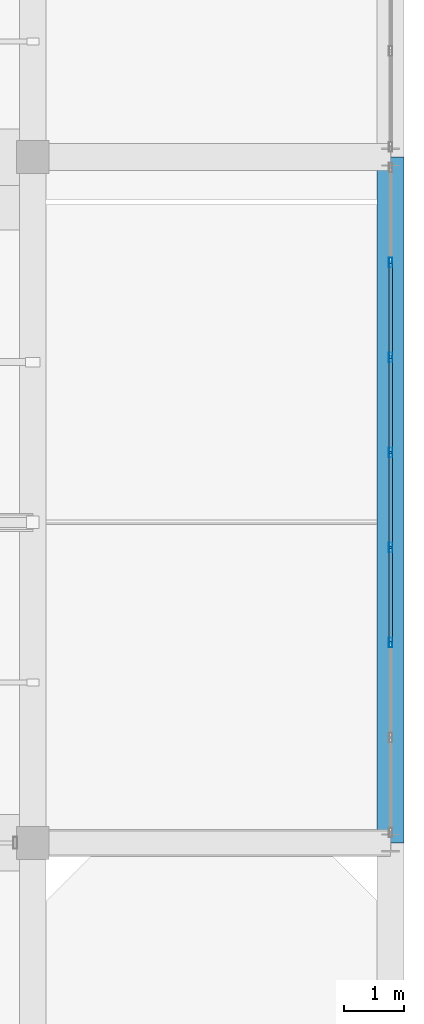
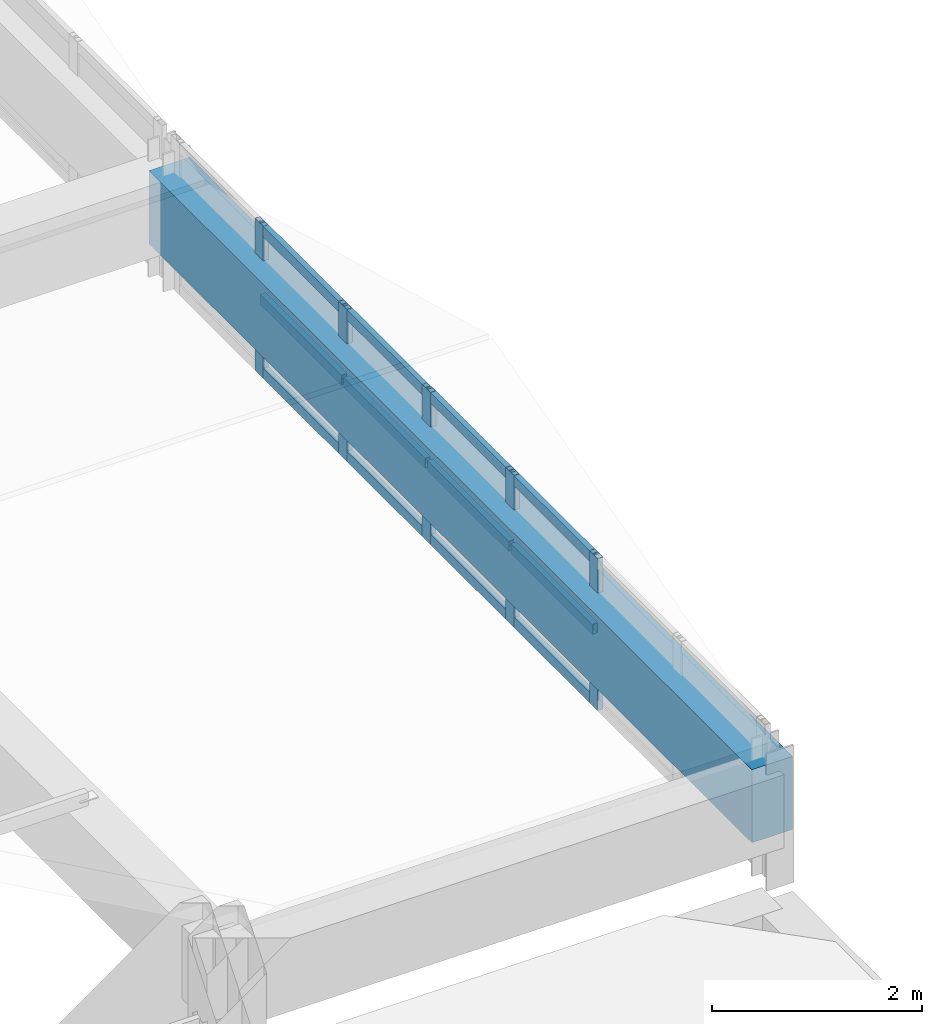
# One storey, part 57 of 82: 17 members, 1 beam, 1 element without a shape of its own.
"""IFC4 building model written with IfcOpenShell, lengths in metres."""

from ifc_helpers import new_model, si_unit, direction, frame, origin, origin_2d, place, context, subcontext, project, spatial, rectangle, hollow_rectangle, extrude, material, layer, layer_set, material_profile, profile_set, type_object, element, aggregate, save


model = new_model("IFC4")

# Units and contexts
model_context = context("Model", 3, precision=1e-05, world=origin(), true_north=direction((0.0, 1.0)))
body_context = subcontext(model_context, "Body", "Model", "MODEL_VIEW")
ifc_project = project(units=[si_unit("LENGTHUNIT", "METRE"), si_unit("AREAUNIT", "SQUARE_METRE"), si_unit("VOLUMEUNIT", "CUBIC_METRE"), si_unit("PLANEANGLEUNIT", "RADIAN"), si_unit("MASSUNIT", "GRAM", prefix="KILO")], contexts=[model_context])

# Site, building, storey
site_placement = place(None, origin())
site = spatial("IfcSite", under=ifc_project, at=site_placement, CompositionType="ELEMENT")
building_placement = place(site_placement, origin())
building = spatial("IfcBuilding", under=site, at=building_placement, Name="Mersad Railyard Sports Hall", CompositionType="ELEMENT")
storey_placement = place(building_placement, frame((0.0, 0.0, 13.199951171875)))
storey = spatial("IfcBuildingStorey", under=building, at=storey_placement, Name="L03", CompositionType="ELEMENT", Elevation=13.199951171875)

# Curtain wall, members
ifc_material_1 = material(Name="Aluminium 6063-T6", Category="aluminium")
ifc_layer = layer(ifc_material_1, 0.159912109375)
ifc_layer_set = layer_set([ifc_layer], Name="Aluminium 6063-T6")
curtain_wall_type = type_object("IfcCurtainWallType", Name="ARC-CW-CW21", PredefinedType="USERDEFINED", material=ifc_layer_set)
curtain_wall_placement = place(storey_placement, origin())
curtain_wall = element("IfcCurtainWall", 1, at=curtain_wall_placement, inside=storey, type_object=curtain_wall_type, Name="Curtain wall CW21-0060", ObjectType="CURTAIN WALL", PredefinedType="USERDEFINED")
ifc_material_profile_1 = material_profile(ifc_material_1, hollow_rectangle(XDim=0.06005859375, YDim=0.159912109375, WallThickness=0.00390625, at=origin_2d()), Name="AL MULLION 60x160x4")
ifc_profile_set_1 = profile_set([ifc_material_profile_1], Name="Aluminium 6063-T6")
member_type_1 = type_object("IfcMemberType", Name="ARC-CW-MUL01", PredefinedType="MULLION", material=ifc_profile_set_1)
member_1_placement = place(storey_placement, frame((179.0, 83.235595703125, -0.02001953125), z_axis=(0.0, 0.0, 1.0), x_axis=(1.0, 0.0, 0.0)))
member_1 = element("IfcMember", 2, at=member_1_placement, type_object=member_type_1, Name="CW21 Mullion 2", PredefinedType="MULLION", context=body_context, shape_type="SweptSolid", body=[
    extrude(hollow_rectangle(XDim=0.06005859375, YDim=0.159912109375, WallThickness=0.00390625, at=origin_2d()), origin(), (0.0, 0.0, 1.0), 1.77001953125),
])
member_2_placement = place(storey_placement, frame((179.0, 81.641357421875, -0.02001953125), z_axis=(0.0, 0.0, 1.0), x_axis=(1.0, 0.0, 0.0)))
member_2 = element("IfcMember", 3, at=member_2_placement, type_object=member_type_1, Name="CW21 Mullion 3", PredefinedType="MULLION", context=body_context, shape_type="SweptSolid", body=[
    extrude(hollow_rectangle(XDim=0.06005859375, YDim=0.159912109375, WallThickness=0.00390625, at=origin_2d()), origin(), (0.0, 0.0, 1.0), 1.77001953125),
])
member_3_placement = place(storey_placement, frame((179.0, 80.047119140625, -0.02001953125), z_axis=(0.0, 0.0, 1.0), x_axis=(1.0, 0.0, 0.0)))
member_3 = element("IfcMember", 4, at=member_3_placement, type_object=member_type_1, Name="CW21 Mullion 4", PredefinedType="MULLION", context=body_context, shape_type="SweptSolid", body=[
    extrude(hollow_rectangle(XDim=0.06005859375, YDim=0.159912109375, WallThickness=0.00390625, at=origin_2d()), origin(), (0.0, 0.0, 1.0), 1.77001953125),
])
member_4_placement = place(storey_placement, frame((179.0, 78.452880859375, -0.02001953125), z_axis=(0.0, 0.0, 1.0), x_axis=(1.0, 0.0, 0.0)))
member_4 = element("IfcMember", 5, at=member_4_placement, type_object=member_type_1, Name="CW21 Mullion 5", PredefinedType="MULLION", context=body_context, shape_type="SweptSolid", body=[
    extrude(hollow_rectangle(XDim=0.06005859375, YDim=0.159912109375, WallThickness=0.00390625, at=origin_2d()), origin(), (0.0, 0.0, 1.0), 1.77001953125),
])
member_5_placement = place(storey_placement, frame((179.0, 76.858642578125, -0.02001953125), z_axis=(0.0, 0.0, 1.0), x_axis=(1.0, 0.0, 0.0)))
member_5 = element("IfcMember", 6, at=member_5_placement, type_object=member_type_1, Name="CW21 Mullion 6", PredefinedType="MULLION", context=body_context, shape_type="SweptSolid", body=[
    extrude(hollow_rectangle(XDim=0.06005859375, YDim=0.159912109375, WallThickness=0.00390625, at=origin_2d()), origin(), (0.0, 0.0, 1.0), 1.77001953125),
])
ifc_material_profile_2 = material_profile(ifc_material_1, hollow_rectangle(XDim=0.06005859375, YDim=0.1201171875, WallThickness=0.00390625, at=origin_2d()), Name="AL TRANSOM 60x120x4")
ifc_profile_set_2 = profile_set([ifc_material_profile_2], Name="Aluminium 6063-T6")
member_type_2 = type_object("IfcMemberType", Name="ARC-CW-TRN01", PredefinedType="USERDEFINED", material=ifc_profile_set_2)
member_6_placement = place(storey_placement, frame((179.0, 83.2158203125, 0.0400390625), z_axis=(0.0, -1.0, 0.0), x_axis=(1.0, 0.0, 0.0)))
member_6 = element("IfcMember", 7, at=member_6_placement, type_object=member_type_2, Name="CW21 Transom 1-2", ObjectType="TRANSOM", PredefinedType="USERDEFINED", context=body_context, shape_type="SweptSolid", body=[
    extrude(hollow_rectangle(XDim=0.06005859375, YDim=0.1201171875, WallThickness=0.00390625, at=origin_2d()), origin(), (0.0, 0.0, 1.0), 1.554443359375),
])
member_7_placement = place(storey_placement, frame((179.0, 81.621337890625, 0.0400390625), z_axis=(0.0, -1.0, 0.0), x_axis=(1.0, 0.0, 0.0)))
member_7 = element("IfcMember", 8, at=member_7_placement, type_object=member_type_2, Name="CW21 Transom 1-3", ObjectType="TRANSOM", PredefinedType="USERDEFINED", context=body_context, shape_type="SweptSolid", body=[
    extrude(hollow_rectangle(XDim=0.06005859375, YDim=0.1201171875, WallThickness=0.00390625, at=origin_2d()), origin(), (0.0, 0.0, 1.0), 1.55419921875),
])
member_8_placement = place(storey_placement, frame((179.0, 80.027099609375, 0.0400390625), z_axis=(0.0, -1.0, 0.0), x_axis=(1.0, 0.0, 0.0)))
member_8 = element("IfcMember", 9, at=member_8_placement, type_object=member_type_2, Name="CW21 Transom 1-4", ObjectType="TRANSOM", PredefinedType="USERDEFINED", context=body_context, shape_type="SweptSolid", body=[
    extrude(hollow_rectangle(XDim=0.06005859375, YDim=0.1201171875, WallThickness=0.00390625, at=origin_2d()), origin(), (0.0, 0.0, 1.0), 1.55419921875),
])
member_9_placement = place(storey_placement, frame((179.0, 78.432861328125, 0.0400390625), z_axis=(0.0, -1.0, 0.0), x_axis=(1.0, 0.0, 0.0)))
member_9 = element("IfcMember", 10, at=member_9_placement, type_object=member_type_2, Name="CW21 Transom 1-5", ObjectType="TRANSOM", PredefinedType="USERDEFINED", context=body_context, shape_type="SweptSolid", body=[
    extrude(hollow_rectangle(XDim=0.06005859375, YDim=0.1201171875, WallThickness=0.00390625, at=origin_2d()), origin(), (0.0, 0.0, 1.0), 1.55419921875),
])
member_10_placement = place(storey_placement, frame((179.0, 83.2158203125, 0.864990234375), z_axis=(0.0, -1.0, 0.0), x_axis=(1.0, 0.0, 0.0)))
member_10 = element("IfcMember", 11, at=member_10_placement, type_object=member_type_2, Name="CW21 Transom 2-2", ObjectType="TRANSOM", PredefinedType="USERDEFINED", context=body_context, shape_type="SweptSolid", body=[
    extrude(hollow_rectangle(XDim=0.06005859375, YDim=0.1201171875, WallThickness=0.00390625, at=origin_2d()), origin(), (0.0, 0.0, 1.0), 1.554443359375),
])
member_11_placement = place(storey_placement, frame((179.0, 81.621337890625, 0.864990234375), z_axis=(0.0, -1.0, 0.0), x_axis=(1.0, 0.0, 0.0)))
member_11 = element("IfcMember", 12, at=member_11_placement, type_object=member_type_2, Name="CW21 Transom 2-3", ObjectType="TRANSOM", PredefinedType="USERDEFINED", context=body_context, shape_type="SweptSolid", body=[
    extrude(hollow_rectangle(XDim=0.06005859375, YDim=0.1201171875, WallThickness=0.00390625, at=origin_2d()), origin(), (0.0, 0.0, 1.0), 1.55419921875),
])
member_12_placement = place(storey_placement, frame((179.0, 80.027099609375, 0.864990234375), z_axis=(0.0, -1.0, 0.0), x_axis=(1.0, 0.0, 0.0)))
member_12 = element("IfcMember", 13, at=member_12_placement, type_object=member_type_2, Name="CW21 Transom 2-4", ObjectType="TRANSOM", PredefinedType="USERDEFINED", context=body_context, shape_type="SweptSolid", body=[
    extrude(hollow_rectangle(XDim=0.06005859375, YDim=0.1201171875, WallThickness=0.00390625, at=origin_2d()), origin(), (0.0, 0.0, 1.0), 1.55419921875),
])
member_13_placement = place(storey_placement, frame((179.0, 78.432861328125, 0.864990234375), z_axis=(0.0, -1.0, 0.0), x_axis=(1.0, 0.0, 0.0)))
member_13 = element("IfcMember", 14, at=member_13_placement, type_object=member_type_2, Name="CW21 Transom 2-5", ObjectType="TRANSOM", PredefinedType="USERDEFINED", context=body_context, shape_type="SweptSolid", body=[
    extrude(hollow_rectangle(XDim=0.06005859375, YDim=0.1201171875, WallThickness=0.00390625, at=origin_2d()), origin(), (0.0, 0.0, 1.0), 1.55419921875),
])
member_14_placement = place(storey_placement, frame((179.0, 83.2158203125, 1.68994140625), z_axis=(0.0, -1.0, 0.0), x_axis=(1.0, 0.0, 0.0)))
member_14 = element("IfcMember", 15, at=member_14_placement, type_object=member_type_2, Name="CW21 Transom 3-2", ObjectType="TRANSOM", PredefinedType="USERDEFINED", context=body_context, shape_type="SweptSolid", body=[
    extrude(hollow_rectangle(XDim=0.06005859375, YDim=0.1201171875, WallThickness=0.00390625, at=origin_2d()), origin(), (0.0, 0.0, 1.0), 1.554443359375),
])
member_15_placement = place(storey_placement, frame((179.0, 81.621337890625, 1.68994140625), z_axis=(0.0, -1.0, 0.0), x_axis=(1.0, 0.0, 0.0)))
member_15 = element("IfcMember", 16, at=member_15_placement, type_object=member_type_2, Name="CW21 Transom 3-3", ObjectType="TRANSOM", PredefinedType="USERDEFINED", context=body_context, shape_type="SweptSolid", body=[
    extrude(hollow_rectangle(XDim=0.06005859375, YDim=0.1201171875, WallThickness=0.00390625, at=origin_2d()), origin(), (0.0, 0.0, 1.0), 1.55419921875),
])
member_16_placement = place(storey_placement, frame((179.0, 80.027099609375, 1.68994140625), z_axis=(0.0, -1.0, 0.0), x_axis=(1.0, 0.0, 0.0)))
member_16 = element("IfcMember", 17, at=member_16_placement, type_object=member_type_2, Name="CW21 Transom 3-4", ObjectType="TRANSOM", PredefinedType="USERDEFINED", context=body_context, shape_type="SweptSolid", body=[
    extrude(hollow_rectangle(XDim=0.06005859375, YDim=0.1201171875, WallThickness=0.00390625, at=origin_2d()), origin(), (0.0, 0.0, 1.0), 1.55419921875),
])
member_17_placement = place(storey_placement, frame((179.0, 78.432861328125, 1.68994140625), z_axis=(0.0, -1.0, 0.0), x_axis=(1.0, 0.0, 0.0)))
member_17 = element("IfcMember", 18, at=member_17_placement, type_object=member_type_2, Name="CW21 Transom 3-5", ObjectType="TRANSOM", PredefinedType="USERDEFINED", context=body_context, shape_type="SweptSolid", body=[
    extrude(hollow_rectangle(XDim=0.06005859375, YDim=0.1201171875, WallThickness=0.00390625, at=origin_2d()), origin(), (0.0, 0.0, 1.0), 1.55419921875),
])
aggregate(curtain_wall, [member_1, member_2, member_3, member_4, member_5, member_6, member_7, member_8, member_9, member_10, member_11, member_12, member_13, member_14, member_15, member_16, member_17])

# Beam
ifc_material_2 = material(Name="Concrete C40/50", Category="concrete")
ifc_material_profile_3 = material_profile(ifc_material_2, rectangle(XDim=0.449951171875, YDim=0.85009765625, at=origin_2d()), Name="RC 450x850")
ifc_profile_set_3 = profile_set([ifc_material_profile_3], Name="Concrete C40/50")
beam_type = type_object("IfcBeamType", Name="STR-BM-B02", PredefinedType="BEAM", material=ifc_profile_set_3)
beam_placement = place(storey_placement, frame((179.0, 73.5, 0.925048828125), z_axis=(0.0, 1.0, 0.0), x_axis=(-1.0, 0.0, 0.0)))
element("IfcBeam", 19, at=beam_placement, inside=storey, type_object=beam_type, Name="Beam B02-0919", PredefinedType="BEAM", context=body_context, shape_type="SweptSolid", body=[
    extrude(rectangle(XDim=0.449951171875, YDim=0.85009765625, at=origin_2d()), origin(), (0.0, 0.0, 1.0), 11.5),
])

save(model, "model.ifc")
